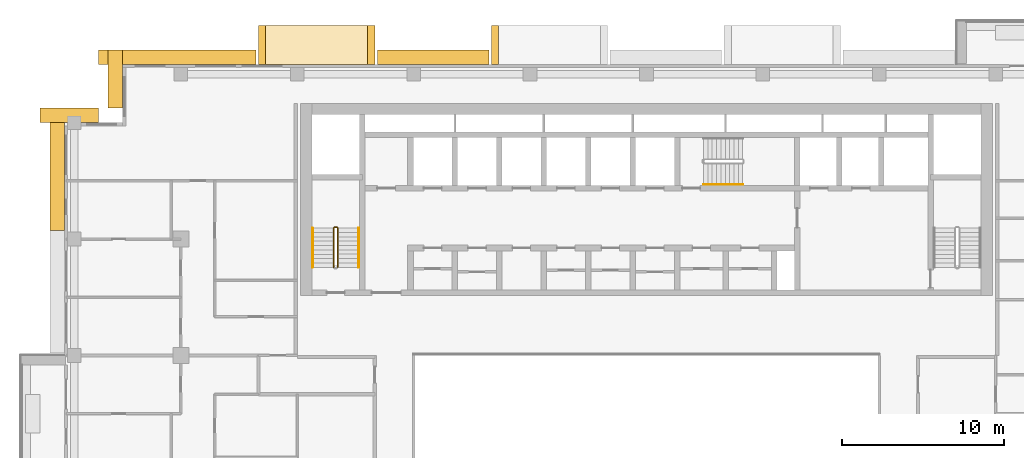
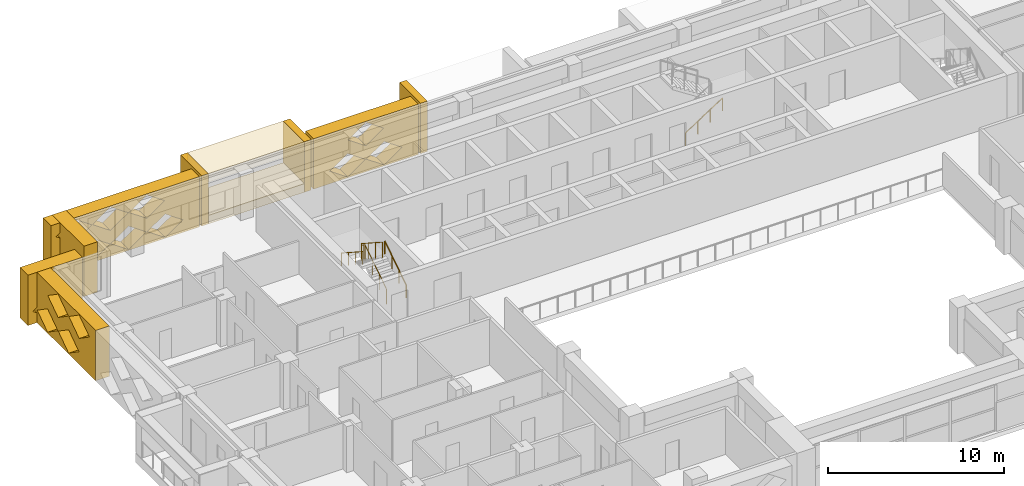
# One storey, part 18 of 20: 10 coverings, 4 railings.
"""IFC4 building model written with IfcOpenShell, lengths in metres."""

from ifc_helpers import new_model, si_unit, direction, frame, origin, origin_2d, place, context, subcontext, project, spatial, polyline, circle, outline, extrude, material, type_object, element, save


model = new_model("IFC4")

# Units and contexts
model_context = context("Model", 3, precision=1e-05, world=origin(), true_north=direction((0.0, 1.0)))
body_context = subcontext(model_context, "Body", "Model", "MODEL_VIEW")
ifc_project = project(units=[si_unit("LENGTHUNIT", "METRE"), si_unit("AREAUNIT", "SQUARE_METRE"), si_unit("VOLUMEUNIT", "CUBIC_METRE"), si_unit("PLANEANGLEUNIT", "RADIAN"), si_unit("MASSUNIT", "GRAM", prefix="KILO")], contexts=[model_context])

# Site, building, storey
site_placement = place(None, origin())
site = spatial("IfcSite", under=ifc_project, at=site_placement, CompositionType="ELEMENT")
building_placement = place(site_placement, origin())
building = spatial("IfcBuilding", under=site, at=building_placement, Name="Saffron Iwan Residences", CompositionType="ELEMENT")
storey_placement = place(building_placement, frame((0.0, 0.0, 143.0)))
storey = spatial("IfcBuildingStorey", under=building, at=storey_placement, Name="L37", CompositionType="ELEMENT", Elevation=143.0)

# Coverings
ifc_material_1 = material(Name="Precast concrete C40/50", Category="concrete")
covering_type_1 = type_object("IfcCoveringType", Name="OUTER SKIN LATTICE SCREEN", PredefinedType="CLADDING", material=ifc_material_1)
covering_1_placement = place(storey_placement, frame((40.64990234375, 80.39990234375, -0.300048828125), z_axis=(0.0, 1.0, 0.0), x_axis=(-1.0, 0.0, 0.0)))
element("IfcCovering", 1, at=covering_1_placement, inside=storey, type_object=covering_type_1, Name="OUTER SKIN lattice screen L37 F5.3", PredefinedType="CLADDING", context=body_context, shape_type="SweptSolid", body=[
    extrude(outline(polyline([(0.0, 0.0), (6.89990234375, 0.0), (6.89990234375, 3.5), (0.0, 3.5), (0.0, 0.0)]), holes=[polyline([(1.070068359375, 0.875), (2.25, 0.06005859375), (3.429931640625, 0.875), (2.25, 1.68994140625), (1.070068359375, 0.875)]), polyline([(3.469970703125, 0.875), (4.64990234375, 0.06005859375), (5.830078125, 0.875), (4.64990234375, 1.68994140625), (3.469970703125, 0.875)]), polyline([(2.27001953125, 2.625), (3.449951171875, 1.81005859375), (4.6298828125, 2.625), (3.449951171875, 3.43994140625), (2.27001953125, 2.625)])]), origin(), (0.0, 0.0, 1.0), 0.900146484375),
])
covering_2_placement = place(storey_placement, frame((26.25, 80.39990234375, -0.300048828125), z_axis=(0.0, 1.0, 0.0), x_axis=(-1.0, 0.0, 0.0)))
element("IfcCovering", 2, at=covering_2_placement, inside=storey, type_object=covering_type_1, Name="OUTER SKIN lattice screen L37 F5.4", PredefinedType="CLADDING", context=body_context, shape_type="SweptSolid", body=[
    extrude(outline(polyline([(0.0, 0.0), (9.75, 0.0), (9.75, 3.5), (0.0, 3.5), (0.0, 0.0)]), holes=[polyline([(1.070068359375, 0.875), (2.25, 0.06005859375), (3.429931640625, 0.875), (2.25, 1.68994140625), (1.070068359375, 0.875)]), polyline([(3.469970703125, 0.875), (4.64990234375, 0.06005859375), (5.830078125, 0.875), (4.64990234375, 1.68994140625), (3.469970703125, 0.875)]), polyline([(5.8701171875, 0.875), (7.050048828125, 0.06005859375), (8.22998046875, 0.875), (7.050048828125, 1.68994140625), (5.8701171875, 0.875)]), polyline([(2.27001953125, 2.625), (3.449951171875, 1.81005859375), (4.6298828125, 2.625), (3.449951171875, 3.43994140625), (2.27001953125, 2.625)]), polyline([(4.669921875, 2.625), (5.85009765625, 1.81005859375), (7.030029296875, 2.625), (5.85009765625, 3.43994140625), (4.669921875, 2.625)]), polyline([(7.070068359375, 2.625), (8.25, 1.81005859375), (9.429931640625, 2.625), (8.25, 3.43994140625), (7.070068359375, 2.625)])]), origin(), (0.0, 0.0, 1.0), 0.900146484375),
])
for number, where, z_axis, x_axis, name in (
    (3, (18.0, 81.300048828125, -0.300048828125), (-1.0, 0.0, 0.0), (0.0, -1.0, 0.0), "OUTER SKIN lattice screen L37 F6.0"),
    (4, (16.5, 76.800048828125, -0.300048828125), (0.0, 1.0, 0.0), (-1.0, 0.0, 0.0), "OUTER SKIN lattice screen L37 F7.0"),
):
    element("IfcCovering", number, at=place(storey_placement, frame(where, z_axis=z_axis, x_axis=x_axis)), inside=storey, type_object=covering_type_1, Name=name, PredefinedType="CLADDING", context=body_context, shape_type="SweptSolid", body=[
        extrude(outline(polyline([(0.0, 0.0), (3.60009765625, 0.0), (3.60009765625, 3.5), (0.0, 3.5), (0.0, 0.0)]), holes=[polyline([(0.919921875, 0.875), (2.10009765625, 0.06005859375), (3.280029296875, 0.875), (2.10009765625, 1.68994140625), (0.919921875, 0.875)])]), origin(), (0.0, 0.0, 1.0), 0.89990234375),
    ])
covering_3_placement = place(storey_placement, frame((14.39990234375, 77.699951171875, -0.300048828125), z_axis=(-1.0, 0.0, 0.0), x_axis=(0.0, -1.0, 0.0)))
element("IfcCovering", 5, at=covering_3_placement, inside=storey, type_object=covering_type_1, Name="OUTER SKIN lattice screen L37 F8.0", PredefinedType="CLADDING", context=body_context, shape_type="SweptSolid", body=[
    extrude(outline(polyline([(0.0, 0.0), (7.574951171875, 0.0), (7.574951171875, 3.5), (0.0, 3.5), (0.0, 0.0)]), holes=[polyline([(0.919921875, 0.875), (2.10009765625, 0.06005859375), (3.280029296875, 0.875), (2.10009765625, 1.68994140625), (0.919921875, 0.875)]), polyline([(3.320068359375, 0.875), (4.5, 0.06005859375), (5.679931640625, 0.875), (4.5, 1.68994140625), (3.320068359375, 0.875)]), polyline([(2.1201171875, 2.625), (3.300048828125, 1.81005859375), (4.47998046875, 2.625), (3.300048828125, 3.43994140625), (2.1201171875, 2.625)]), polyline([(4.52001953125, 2.625), (5.699951171875, 1.81005859375), (6.8798828125, 2.625), (5.699951171875, 3.43994140625), (4.52001953125, 2.625)])]), origin(), (0.0, 0.0, 1.0), 0.89990234375),
])

# Railings
ifc_material_2 = material(Name="Steel S355", Category="steel")
railing_type_1 = type_object("IfcRailingType", Name="Stair guard 1100", PredefinedType="GUARDRAIL", material=ifc_material_2)
railing_1_placement = place(storey_placement, frame((31.300048828125, 67.85009765625, 0.175048828125)))
element("IfcRailing", 6, at=railing_1_placement, inside=storey, type_object=railing_type_1, Name="L37 ST-W stair guard 1", PredefinedType="GUARDRAIL", context=body_context, shape_type="SweptSolid", body=[
    extrude(circle(Radius=0.02392578125, at=origin_2d()), frame((0.0, 0.0, 1.076171875), z_axis=(0.0, 0.839153699163, 0.543894354798), x_axis=(-1.0, 0.0, 0.0)), (0.0, 0.0, 1.0), 2.895751953125),
    extrude(circle(Radius=0.02392578125, at=origin_2d()), frame((0.0, 2.429931640625, 2.65087890625), z_axis=(-0.707106781187, 0.707106781187, 0.0), x_axis=(-0.707106781187, -0.707106781187, 0.0)), (0.0, 0.0, 1.0), 0.07080078125),
    extrude(circle(Radius=0.02392578125, at=origin_2d()), frame((-0.050048828125, 2.47998046875, 2.65087890625), z_axis=(-1.0, 0.0, 0.0), x_axis=(0.0, -1.0, 0.0)), (0.0, 0.0, 1.0), 0.14990234375),
    extrude(circle(Radius=0.02392578125, at=origin_2d()), frame((-0.199951171875, 2.47998046875, 2.65087890625), z_axis=(-0.265065253269, -0.265065253269, 0.927081885822), x_axis=(0.707106781187, -0.707106781187, 0.0)), (0.0, 0.0, 1.0), 0.188720703125),
    extrude(circle(Radius=0.02392578125, at=origin_2d()), frame((-0.25, 2.429931640625, 2.826171875), z_axis=(0.0, -0.839153699163, 0.543894354798), x_axis=(1.0, 0.0, 0.0)), (0.0, 0.0, 1.0), 2.895751953125),
    extrude(circle(Radius=0.02099609375, at=origin_2d()), origin(), (0.0, 0.0, 1.0), 1.052001953125),
    extrude(circle(Radius=0.02099609375, at=origin_2d()), frame((0.0, 0.81005859375, 0.52490234375)), (0.0, 0.0, 1.0), 1.052001953125),
    extrude(circle(Radius=0.02099609375, at=origin_2d()), frame((0.0, 1.619873046875, 1.050048828125)), (0.0, 0.0, 1.0), 1.052001953125),
    extrude(circle(Radius=0.02099609375, at=origin_2d()), frame((0.0, 2.429931640625, 1.574951171875)), (0.0, 0.0, 1.0), 1.052001953125),
    extrude(circle(Radius=0.02099609375, at=origin_2d()), frame((-0.050048828125, 2.47998046875, 1.574951171875)), (0.0, 0.0, 1.0), 1.052001953125),
    extrude(circle(Radius=0.02099609375, at=origin_2d()), frame((-0.199951171875, 2.47998046875, 1.574951171875)), (0.0, 0.0, 1.0), 1.052001953125),
    extrude(circle(Radius=0.02099609375, at=origin_2d()), frame((-0.25, 2.429931640625, 1.75)), (0.0, 0.0, 1.0), 1.052001953125),
    extrude(circle(Radius=0.02099609375, at=origin_2d()), frame((-0.25, 1.619873046875, 2.27490234375)), (0.0, 0.0, 1.0), 1.052001953125),
    extrude(circle(Radius=0.02099609375, at=origin_2d()), frame((-0.25, 0.81005859375, 2.800048828125)), (0.0, 0.0, 1.0), 1.052001953125),
    extrude(circle(Radius=0.02099609375, at=origin_2d()), frame((-0.25, 0.0, 3.324951171875)), (0.0, 0.0, 1.0), 1.052001953125),
])
ifc_material_3 = material(Name="Stainless steel 316", Category="steel")
railing_type_2 = type_object("IfcRailingType", Name="Stair handrail 900", PredefinedType="HANDRAIL", material=ifc_material_3)
railing_2_placement = place(storey_placement, frame((32.60009765625, 67.85009765625, 0.175048828125)))
element("IfcRailing", 7, at=railing_2_placement, inside=storey, type_object=railing_type_2, Name="L37 ST-W stair handrail 1", PredefinedType="HANDRAIL", context=body_context, shape_type="SweptSolid", body=[
    extrude(circle(Radius=0.02392578125, at=origin_2d()), frame((0.0, 0.0, 0.8759765625), z_axis=(0.0, 0.839153699163, 0.543894354798), x_axis=(-1.0, 0.0, 0.0)), (0.0, 0.0, 1.0), 2.895751953125),
    extrude(circle(Radius=0.02099609375, at=origin_2d()), origin(), (0.0, 0.0, 1.0), 0.851806640625),
    extrude(circle(Radius=0.02099609375, at=origin_2d()), frame((0.0, 0.81005859375, 0.52490234375)), (0.0, 0.0, 1.0), 0.851806640625),
    extrude(circle(Radius=0.02099609375, at=origin_2d()), frame((0.0, 1.619873046875, 1.050048828125)), (0.0, 0.0, 1.0), 0.851806640625),
    extrude(circle(Radius=0.02099609375, at=origin_2d()), frame((0.0, 2.429931640625, 1.574951171875)), (0.0, 0.0, 1.0), 0.851806640625),
])
railing_3_placement = place(storey_placement, frame((29.75, 70.280029296875, 1.925048828125)))
element("IfcRailing", 8, at=railing_3_placement, inside=storey, type_object=railing_type_2, Name="L37 ST-W stair handrail 2", PredefinedType="HANDRAIL", context=body_context, shape_type="SweptSolid", body=[
    extrude(circle(Radius=0.02392578125, at=origin_2d()), frame((0.0, 0.0, 0.8759765625), z_axis=(0.0, -0.839153699163, 0.543894354798), x_axis=(1.0, 0.0, 0.0)), (0.0, 0.0, 1.0), 2.895751953125),
    extrude(circle(Radius=0.02099609375, at=origin_2d()), origin(), (0.0, 0.0, 1.0), 0.851806640625),
    extrude(circle(Radius=0.02099609375, at=origin_2d()), frame((0.0, -0.81005859375, 0.52490234375)), (0.0, 0.0, 1.0), 0.851806640625),
    extrude(circle(Radius=0.02099609375, at=origin_2d()), frame((0.0, -1.619873046875, 1.050048828125)), (0.0, 0.0, 1.0), 0.851806640625),
    extrude(circle(Radius=0.02099609375, at=origin_2d()), frame((0.0, -2.429931640625, 1.574951171875)), (0.0, 0.0, 1.0), 0.851806640625),
])
railing_4_placement = place(storey_placement, frame((53.925048828125, 72.97509765625, 0.175048828125)))
element("IfcRailing", 9, at=railing_4_placement, inside=storey, type_object=railing_type_2, Name="L37 ST-C stair handrail 1", PredefinedType="HANDRAIL", context=body_context, shape_type="SweptSolid", body=[
    extrude(circle(Radius=0.02392578125, at=origin_2d()), frame((0.0, 0.0, 0.8759765625), z_axis=(0.839153699163, 0.0, 0.543894354798), x_axis=(0.0, 1.0, 0.0)), (0.0, 0.0, 1.0), 2.895751953125),
    extrude(circle(Radius=0.02099609375, at=origin_2d()), origin(), (0.0, 0.0, 1.0), 0.851806640625),
    extrude(circle(Radius=0.02099609375, at=origin_2d()), frame((0.81005859375, 0.0, 0.52490234375)), (0.0, 0.0, 1.0), 0.851806640625),
    extrude(circle(Radius=0.02099609375, at=origin_2d()), frame((1.619873046875, 0.0, 1.050048828125)), (0.0, 0.0, 1.0), 0.851806640625),
    extrude(circle(Radius=0.02099609375, at=origin_2d()), frame((2.429931640625, 0.0, 1.574951171875)), (0.0, 0.0, 1.0), 0.851806640625),
])

# Coverings
ifc_material_4 = material(Name="Precast concrete C40/50 white painted", Category="concrete")
covering_type_2 = type_object("IfcCoveringType", Name="WHITE SUN FRAME PRECAST", PredefinedType="CLADDING", material=ifc_material_4)
for number, where, z_axis, x_axis, name in (
    (10, (41.25, 80.39990234375, -0.300048828125), (0.0, 1.0, 0.0), (-1.0, 0.0, 0.0), "Sun frame L37 F5 34.8b"),
    (11, (33.60009765625, 80.39990234375, -0.300048828125), (0.0, 1.0, 0.0), (-1.0, 0.0, 0.0), "Sun frame L37 F5 49.2a"),
    (12, (26.85009765625, 80.39990234375, -0.300048828125), (0.0, 1.0, 0.0), (-1.0, 0.0, 0.0), "Sun frame L37 F5 49.2b"),
):
    element("IfcCovering", number, at=place(storey_placement, frame(where, z_axis=z_axis, x_axis=x_axis)), inside=storey, type_object=covering_type_2, Name=name, PredefinedType="CLADDING", context=body_context, shape_type="SweptSolid", body=[
        extrude(outline(polyline([(0.0, 0.0), (0.449951171875, 0.0), (0.449951171875, 3.5), (0.0, 3.5), (0.0, 0.0)])), origin(), (0.0, 0.0, 1.0), 2.400146484375),
    ])
for number, where, z_axis, x_axis, name in (
    (13, (33.14990234375, 80.39990234375, 2.60009765625), (0.0, 1.0, 0.0), (-1.0, 0.0, 0.0), "Sun frame L37 F5 49.2h"),
    (14, (33.14990234375, 80.39990234375, -0.300048828125), (0.0, 1.0, 0.0), (-1.0, 0.0, 0.0), "Sun frame L37 F5 49.2s"),
):
    element("IfcCovering", number, at=place(storey_placement, frame(where, z_axis=z_axis, x_axis=x_axis)), inside=storey, type_object=covering_type_2, Name=name, PredefinedType="CLADDING", context=body_context, shape_type="SweptSolid", body=[
        extrude(outline(polyline([(0.0, 0.0), (6.300048828125, 0.0), (6.300048828125, 0.60009765625), (0.0, 0.60009765625), (0.0, 0.0)])), origin(), (0.0, 0.0, 1.0), 2.400146484375),
    ])

save(model, "model.ifc")
